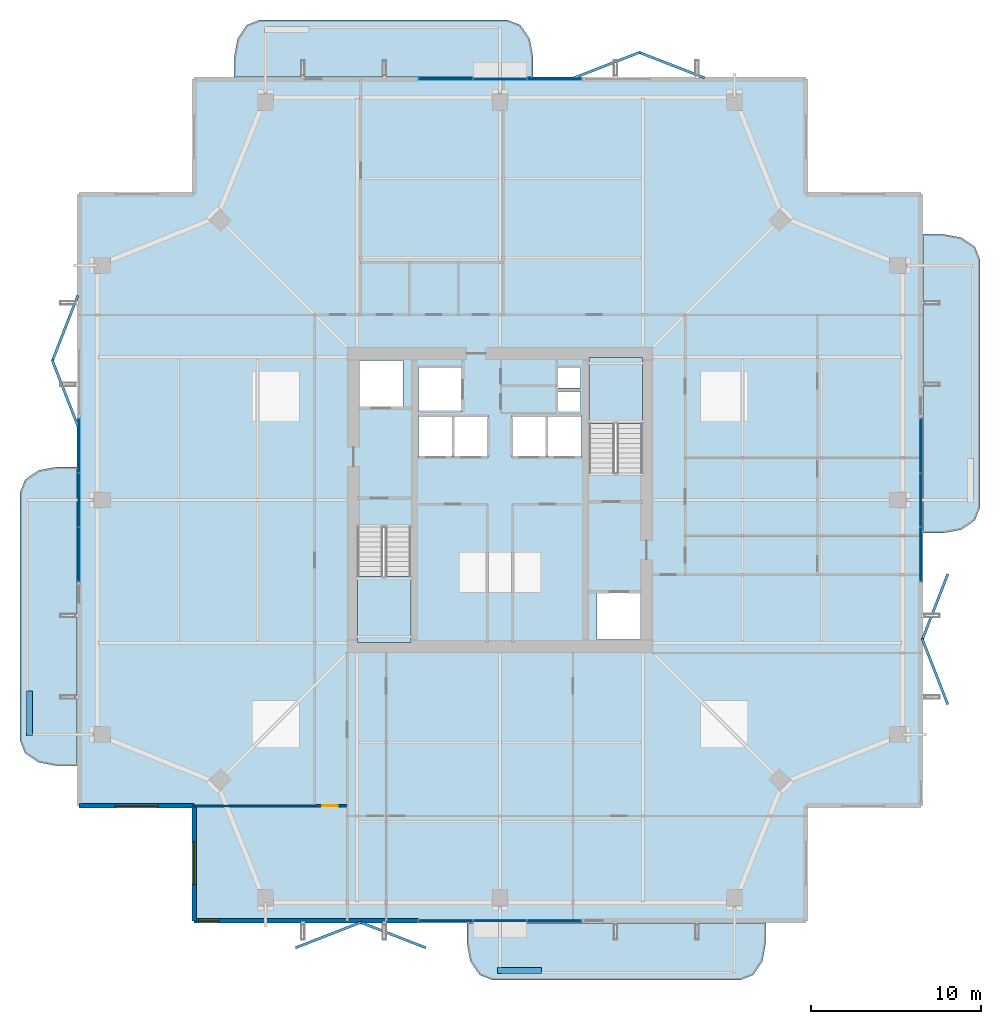
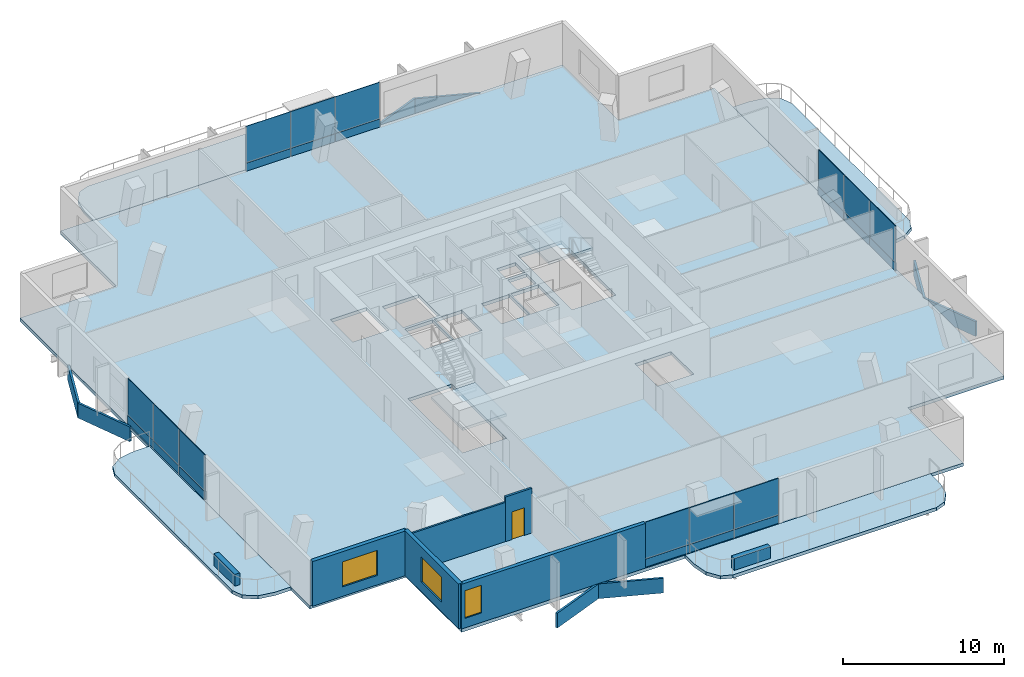
# One storey, part 17 of 25: 32 plates, 7 slabs, 7 walls, 3 windows, 1 door, 4 openings, 6 elements without a shape of their own.
"""IFC4 building model written with IfcOpenShell, lengths in metres."""

from ifc_helpers import new_model, si_unit, direction, frame, frame_2d, origin, origin_2d, place, context, subcontext, project, spatial, polyline, rectangle, outline, extrude, material, layer, layer_set, type_object, element, fill, aggregate, save


model = new_model("IFC4")

# Units and contexts
model_context = context("Model", 3, precision=1e-05, world=origin(), true_north=direction((0.0, 1.0)))
body_context = subcontext(model_context, "Body", "Model", "MODEL_VIEW")
ifc_project = project(units=[si_unit("LENGTHUNIT", "METRE"), si_unit("AREAUNIT", "SQUARE_METRE"), si_unit("VOLUMEUNIT", "CUBIC_METRE"), si_unit("PLANEANGLEUNIT", "RADIAN"), si_unit("MASSUNIT", "GRAM", prefix="KILO")], contexts=[model_context])

# Site, building, storey
site_placement = place(None, origin())
site = spatial("IfcSite", under=ifc_project, at=site_placement, CompositionType="ELEMENT")
building_placement = place(site_placement, origin())
building = spatial("IfcBuilding", under=site, at=building_placement, Name="Belovzor Exchange Tower", CompositionType="ELEMENT")
storey_placement = place(building_placement, frame((0.0, 0.0, 280.35009765625)))
storey = spatial("IfcBuildingStorey", under=building, at=storey_placement, Name="L70", CompositionType="ELEMENT", Elevation=280.35009765625)

# Slab
ifc_material_1 = material(Name="Concrete C40/50", Category="concrete")
ifc_layer_1 = layer(ifc_material_1, 0.25)
ifc_layer_set_1 = layer_set([ifc_layer_1], Name="Concrete C40/50")
slab_type_1 = type_object("IfcSlabType", Name="Composite Concrete Floor Deck Slab 250", PredefinedType="FLOOR", material=ifc_layer_set_1)
slab_1_placement = place(storey_placement, frame((0.0, 0.0, -0.25)))
element("IfcSlab", 1, at=slab_1_placement, inside=storey, type_object=slab_type_1, Name="SL-F250 Structural Slab L70", PredefinedType="FLOOR", context=body_context, shape_type="SweptSolid", body=[
    extrude(outline(polyline([(10.800048828125, 3.89990234375), (46.800048828125, 3.89990234375), (46.800048828125, 10.800048828125), (53.699951171875, 10.800048828125), (53.699951171875, 46.800048828125), (46.800048828125, 46.800048828125), (46.800048828125, 53.699951171875), (10.800048828125, 53.699951171875), (10.800048828125, 46.800048828125), (3.89990234375, 46.800048828125), (3.89990234375, 10.800048828125), (10.800048828125, 10.800048828125), (10.800048828125, 3.89990234375)]), holes=[polyline([(20.39990234375, 27.175048828125), (20.39990234375, 20.39990234375), (23.550048828125, 20.39990234375), (23.550048828125, 27.175048828125), (20.39990234375, 27.175048828125)]), polyline([(37.199951171875, 30.425048828125), (37.199951171875, 37.199951171875), (34.050048828125, 37.199951171875), (34.050048828125, 30.425048828125), (37.199951171875, 30.425048828125)]), polyline([(20.5, 34.199951171875), (23.10009765625, 34.199951171875), (23.10009765625, 37.0), (20.5, 37.0), (20.5, 34.199951171875)]), polyline([(34.5, 20.60009765625), (37.10009765625, 20.60009765625), (37.10009765625, 23.39990234375), (34.5, 23.39990234375), (34.5, 20.60009765625)]), polyline([(24.0, 34.0), (26.60009765625, 34.0), (26.60009765625, 36.60009765625), (24.0, 36.60009765625), (24.0, 34.0)]), polyline([(24.0, 31.300048828125), (26.0, 31.300048828125), (26.0, 33.800048828125), (24.0, 33.800048828125), (24.0, 31.300048828125)]), polyline([(26.10009765625, 31.300048828125), (28.10009765625, 31.300048828125), (28.10009765625, 33.800048828125), (26.10009765625, 33.800048828125), (26.10009765625, 31.300048828125)]), polyline([(29.5, 31.300048828125), (31.5, 31.300048828125), (31.5, 33.800048828125), (29.5, 33.800048828125), (29.5, 31.300048828125)]), polyline([(31.60009765625, 31.300048828125), (33.60009765625, 31.300048828125), (33.60009765625, 33.800048828125), (31.60009765625, 33.800048828125), (31.60009765625, 31.300048828125)]), polyline([(32.199951171875, 34.0), (33.550048828125, 34.0), (33.550048828125, 35.199951171875), (32.199951171875, 35.199951171875), (32.199951171875, 34.0)]), polyline([(32.199951171875, 35.39990234375), (33.550048828125, 35.39990234375), (33.550048828125, 36.60009765625), (32.199951171875, 36.60009765625), (32.199951171875, 35.39990234375)])]), origin(), (0.0, 0.0, 1.0), 0.25),
])

# Curtain wall, plates
ifc_material_2 = material(Name="Anodised Aluminium Framing", Category="aluminium")
ifc_layer_2 = layer(ifc_material_2, 0.179931640625)
ifc_layer_set_2 = layer_set([ifc_layer_2], Name="Anodised Aluminium Framing")
curtain_wall_type = type_object("IfcCurtainWallType", Name="Recessed Loggia Low-Iron Triple-Glazed Curtain Wall", PredefinedType="NOTDEFINED", material=ifc_layer_set_2)
curtain_wall_1_placement = place(storey_placement, origin())
curtain_wall_1 = element("IfcCurtainWall", 2, at=curtain_wall_1_placement, inside=storey, type_object=curtain_wall_type, Name="CW3 Recessed Loggia Low-Iron Triple-Glazed Curtain Wall L70", PredefinedType="NOTDEFINED")
ifc_material_3 = material(Name="Solar-Control Triple Glazing", Category="glass")
ifc_layer_3 = layer(ifc_material_3, 0.0439453125)
ifc_layer_set_3 = layer_set([ifc_layer_3], Name="Solar-Control Triple Glazing")
plate_type_1 = type_object("IfcPlateType", Name="Insulated Solar Glazing Curtain Panel 44", PredefinedType="CURTAIN_PANEL", material=ifc_layer_set_3)
plate_1_placement = place(storey_placement, frame((32.0, 4.030029296875, 0.61181640625), z_axis=(0.0, 0.0, 1.0), x_axis=(-1.0, 0.0, 0.0)))
plate_1 = element("IfcPlate", 3, at=plate_1_placement, type_object=plate_type_1, Name="GLZ-44 Glazed Curtain Panel 1", PredefinedType="CURTAIN_PANEL", context=body_context, shape_type="SweptSolid", body=[
    extrude(rectangle(XDim=3.18408203125, YDim=0.0439453125, at=origin_2d()), origin(), (0.0, 0.0, 1.0), 2.778076171875),
])
plate_2_placement = place(storey_placement, frame((28.800048828125, 4.030029296875, 0.61181640625), z_axis=(0.0, 0.0, 1.0), x_axis=(-1.0, 0.0, 0.0)))
plate_2 = element("IfcPlate", 4, at=plate_2_placement, type_object=plate_type_1, Name="GLZ-44 Glazed Curtain Panel 2", PredefinedType="CURTAIN_PANEL", context=body_context, shape_type="SweptSolid", body=[
    extrude(rectangle(XDim=3.18408203125, YDim=0.0439453125, at=origin_2d()), origin(), (0.0, 0.0, 1.0), 2.778076171875),
])
plate_3_placement = place(storey_placement, frame((25.60009765625, 4.030029296875, 0.61181640625), z_axis=(0.0, 0.0, 1.0), x_axis=(-1.0, 0.0, 0.0)))
plate_3 = element("IfcPlate", 5, at=plate_3_placement, type_object=plate_type_1, Name="GLZ-44 Glazed Curtain Panel 3", PredefinedType="CURTAIN_PANEL", context=body_context, shape_type="SweptSolid", body=[
    extrude(rectangle(XDim=3.18408203125, YDim=0.0439453125, at=origin_2d()), origin(), (0.0, 0.0, 1.0), 2.778076171875),
])

curtain_wall_2_placement = place(storey_placement, origin())
curtain_wall_2 = element("IfcCurtainWall", 6, at=curtain_wall_2_placement, inside=storey, type_object=curtain_wall_type, Name="CW3 Recessed Loggia Low-Iron Triple-Glazed Curtain Wall L70", PredefinedType="NOTDEFINED")
plate_4_placement = place(storey_placement, frame((25.60009765625, 53.570068359375, 0.61181640625), z_axis=(0.0, 0.0, 1.0), x_axis=(1.0, 0.0, 0.0)))
plate_4 = element("IfcPlate", 7, at=plate_4_placement, type_object=plate_type_1, Name="GLZ-44 Glazed Curtain Panel 1", PredefinedType="CURTAIN_PANEL", context=body_context, shape_type="SweptSolid", body=[
    extrude(rectangle(XDim=3.18408203125, YDim=0.0439453125, at=origin_2d()), origin(), (0.0, 0.0, 1.0), 2.778076171875),
])
plate_5_placement = place(storey_placement, frame((28.800048828125, 53.570068359375, 0.61181640625), z_axis=(0.0, 0.0, 1.0), x_axis=(1.0, 0.0, 0.0)))
plate_5 = element("IfcPlate", 8, at=plate_5_placement, type_object=plate_type_1, Name="GLZ-44 Glazed Curtain Panel 2", PredefinedType="CURTAIN_PANEL", context=body_context, shape_type="SweptSolid", body=[
    extrude(rectangle(XDim=3.18408203125, YDim=0.0439453125, at=origin_2d()), origin(), (0.0, 0.0, 1.0), 2.778076171875),
])
plate_6_placement = place(storey_placement, frame((32.0, 53.570068359375, 0.61181640625), z_axis=(0.0, 0.0, 1.0), x_axis=(1.0, 0.0, 0.0)))
plate_6 = element("IfcPlate", 9, at=plate_6_placement, type_object=plate_type_1, Name="GLZ-44 Glazed Curtain Panel 3", PredefinedType="CURTAIN_PANEL", context=body_context, shape_type="SweptSolid", body=[
    extrude(rectangle(XDim=3.18408203125, YDim=0.0439453125, at=origin_2d()), origin(), (0.0, 0.0, 1.0), 2.778076171875),
])

curtain_wall_3_placement = place(storey_placement, origin())
curtain_wall_3 = element("IfcCurtainWall", 10, at=curtain_wall_3_placement, inside=storey, type_object=curtain_wall_type, Name="CW3 Recessed Loggia Low-Iron Triple-Glazed Curtain Wall L70", PredefinedType="NOTDEFINED")
plate_7_placement = place(storey_placement, frame((4.030029296875, 25.60009765625, 0.61181640625), z_axis=(0.0, 0.0, 1.0), x_axis=(0.0, 1.0, 0.0)))
plate_7 = element("IfcPlate", 11, at=plate_7_placement, type_object=plate_type_1, Name="GLZ-44 Glazed Curtain Panel 1", PredefinedType="CURTAIN_PANEL", context=body_context, shape_type="SweptSolid", body=[
    extrude(rectangle(XDim=3.18408203125, YDim=0.0439453125, at=origin_2d()), origin(), (0.0, 0.0, 1.0), 2.778076171875),
])
plate_8_placement = place(storey_placement, frame((4.030029296875, 28.800048828125, 0.61181640625), z_axis=(0.0, 0.0, 1.0), x_axis=(0.0, 1.0, 0.0)))
plate_8 = element("IfcPlate", 12, at=plate_8_placement, type_object=plate_type_1, Name="GLZ-44 Glazed Curtain Panel 2", PredefinedType="CURTAIN_PANEL", context=body_context, shape_type="SweptSolid", body=[
    extrude(rectangle(XDim=3.18408203125, YDim=0.0439453125, at=origin_2d()), origin(), (0.0, 0.0, 1.0), 2.778076171875),
])
plate_9_placement = place(storey_placement, frame((4.030029296875, 32.0, 0.61181640625), z_axis=(0.0, 0.0, 1.0), x_axis=(0.0, 1.0, 0.0)))
plate_9 = element("IfcPlate", 13, at=plate_9_placement, type_object=plate_type_1, Name="GLZ-44 Glazed Curtain Panel 3", PredefinedType="CURTAIN_PANEL", context=body_context, shape_type="SweptSolid", body=[
    extrude(rectangle(XDim=3.18408203125, YDim=0.0439453125, at=origin_2d()), origin(), (0.0, 0.0, 1.0), 2.778076171875),
])

curtain_wall_4_placement = place(storey_placement, origin())
curtain_wall_4 = element("IfcCurtainWall", 14, at=curtain_wall_4_placement, inside=storey, type_object=curtain_wall_type, Name="CW3 Recessed Loggia Low-Iron Triple-Glazed Curtain Wall L70", PredefinedType="NOTDEFINED")
plate_10_placement = place(storey_placement, frame((53.570068359375, 32.0, 0.61181640625), z_axis=(0.0, 0.0, 1.0), x_axis=(0.0, -1.0, 0.0)))
plate_10 = element("IfcPlate", 15, at=plate_10_placement, type_object=plate_type_1, Name="GLZ-44 Glazed Curtain Panel 1", PredefinedType="CURTAIN_PANEL", context=body_context, shape_type="SweptSolid", body=[
    extrude(rectangle(XDim=3.18408203125, YDim=0.0439453125, at=origin_2d()), origin(), (0.0, 0.0, 1.0), 2.778076171875),
])
plate_11_placement = place(storey_placement, frame((53.570068359375, 28.800048828125, 0.61181640625), z_axis=(0.0, 0.0, 1.0), x_axis=(0.0, -1.0, 0.0)))
plate_11 = element("IfcPlate", 16, at=plate_11_placement, type_object=plate_type_1, Name="GLZ-44 Glazed Curtain Panel 2", PredefinedType="CURTAIN_PANEL", context=body_context, shape_type="SweptSolid", body=[
    extrude(rectangle(XDim=3.18408203125, YDim=0.0439453125, at=origin_2d()), origin(), (0.0, 0.0, 1.0), 2.778076171875),
])
plate_12_placement = place(storey_placement, frame((53.570068359375, 25.60009765625, 0.61181640625), z_axis=(0.0, 0.0, 1.0), x_axis=(0.0, -1.0, 0.0)))
plate_12 = element("IfcPlate", 17, at=plate_12_placement, type_object=plate_type_1, Name="GLZ-44 Glazed Curtain Panel 3", PredefinedType="CURTAIN_PANEL", context=body_context, shape_type="SweptSolid", body=[
    extrude(rectangle(XDim=3.18408203125, YDim=0.0439453125, at=origin_2d()), origin(), (0.0, 0.0, 1.0), 2.778076171875),
])

# Stair, slab
ifc_material_4 = material(Name="Concrete C40/50", Category="concrete")
stair_type = type_object("IfcStairType", Name="Reinforced Concrete Dogleg Escape Stair 1350", PredefinedType="HALF_TURN_STAIR", material=ifc_material_4)
stair_1_placement = place(storey_placement, origin())
stair_1 = element("IfcStair", 18, at=stair_1_placement, inside=storey, type_object=stair_type, Name="L70 ST-1", PredefinedType="HALF_TURN_STAIR")
ifc_material_5 = material(Name="Concrete C40/50", Category="concrete")
ifc_layer_4 = layer(ifc_material_5, 0.199951171875)
ifc_layer_set_4 = layer_set([ifc_layer_4], Name="Concrete C40/50")
slab_type_2 = type_object("IfcSlabType", Name="Reinforced Concrete Stair Half-Landing Slab 200", PredefinedType="LANDING", material=ifc_layer_set_4)
slab_2_placement = place(storey_placement, frame((0.0, 0.0, 1.6748046875)))
slab_2 = element("IfcSlab", 19, at=slab_2_placement, type_object=slab_type_2, Name="ST-1 landing 1", PredefinedType="LANDING", context=body_context, shape_type="SweptSolid", body=[
    extrude(outline(polyline([(20.39990234375, 24.300048828125), (20.39990234375, 20.39990234375), (23.550048828125, 20.39990234375), (23.550048828125, 24.300048828125), (20.39990234375, 24.300048828125)])), origin(), (0.0, 0.0, 1.0), 0.2001953125),
])
aggregate(stair_1, [slab_2])

stair_2_placement = place(storey_placement, origin())
stair_2 = element("IfcStair", 20, at=stair_2_placement, inside=storey, type_object=stair_type, Name="L70 ST-2", PredefinedType="HALF_TURN_STAIR")
slab_3_placement = place(storey_placement, frame((0.0, 0.0, 1.6748046875)))
slab_3 = element("IfcSlab", 21, at=slab_3_placement, type_object=slab_type_2, Name="ST-2 landing 1", PredefinedType="LANDING", context=body_context, shape_type="SweptSolid", body=[
    extrude(outline(polyline([(37.199951171875, 33.300048828125), (37.199951171875, 37.199951171875), (34.050048828125, 37.199951171875), (34.050048828125, 33.300048828125), (37.199951171875, 33.300048828125)])), origin(), (0.0, 0.0, 1.0), 0.2001953125),
])
aggregate(stair_2, [slab_3])

# Plate
ifc_material_6 = material(Name="Extruded Architectural Terracotta", Category="masonry")
ifc_layer_5 = layer(ifc_material_6, 0.090087890625)
ifc_layer_set_5 = layer_set([ifc_layer_5], Name="Extruded Architectural Terracotta")
plate_type_2 = type_object("IfcPlateType", Name="Terracotta Shadow-Box Spandrel Panel 90", PredefinedType="CURTAIN_PANEL", material=ifc_layer_set_5)
plate_13_placement = place(storey_placement, frame((32.0, 4.030029296875, 0.0), z_axis=(0.0, 0.0, 1.0), x_axis=(-1.0, 0.0, 0.0)))
plate_13 = element("IfcPlate", 22, at=plate_13_placement, type_object=plate_type_2, Name="SPD-90 Spandrel Panel 1", PredefinedType="CURTAIN_PANEL", context=body_context, shape_type="SweptSolid", body=[
    extrude(rectangle(XDim=3.18408203125, YDim=0.090087890625, at=origin_2d()), origin(), (0.0, 0.0, 1.0), 0.60791015625),
])

plate_14_placement = place(storey_placement, frame((28.800048828125, 4.030029296875, 0.0), z_axis=(0.0, 0.0, 1.0), x_axis=(-1.0, 0.0, 0.0)))
plate_14 = element("IfcPlate", 23, at=plate_14_placement, type_object=plate_type_2, Name="SPD-90 Spandrel Panel 2", PredefinedType="CURTAIN_PANEL", context=body_context, shape_type="SweptSolid", body=[
    extrude(rectangle(XDim=3.18408203125, YDim=0.090087890625, at=origin_2d()), origin(), (0.0, 0.0, 1.0), 0.60791015625),
])

plate_15_placement = place(storey_placement, frame((25.60009765625, 4.030029296875, 0.0), z_axis=(0.0, 0.0, 1.0), x_axis=(-1.0, 0.0, 0.0)))
plate_15 = element("IfcPlate", 24, at=plate_15_placement, type_object=plate_type_2, Name="SPD-90 Spandrel Panel 3", PredefinedType="CURTAIN_PANEL", context=body_context, shape_type="SweptSolid", body=[
    extrude(rectangle(XDim=3.18408203125, YDim=0.090087890625, at=origin_2d()), origin(), (0.0, 0.0, 1.0), 0.60791015625),
])

aggregate(curtain_wall_1, [plate_13, plate_1, plate_14, plate_2, plate_15, plate_3])

plate_16_placement = place(storey_placement, frame((25.60009765625, 53.570068359375, 0.0), z_axis=(0.0, 0.0, 1.0), x_axis=(1.0, 0.0, 0.0)))
plate_16 = element("IfcPlate", 25, at=plate_16_placement, type_object=plate_type_2, Name="SPD-90 Spandrel Panel 1", PredefinedType="CURTAIN_PANEL", context=body_context, shape_type="SweptSolid", body=[
    extrude(rectangle(XDim=3.18408203125, YDim=0.090087890625, at=origin_2d()), origin(), (0.0, 0.0, 1.0), 0.60791015625),
])

plate_17_placement = place(storey_placement, frame((28.800048828125, 53.570068359375, 0.0), z_axis=(0.0, 0.0, 1.0), x_axis=(1.0, 0.0, 0.0)))
plate_17 = element("IfcPlate", 26, at=plate_17_placement, type_object=plate_type_2, Name="SPD-90 Spandrel Panel 2", PredefinedType="CURTAIN_PANEL", context=body_context, shape_type="SweptSolid", body=[
    extrude(rectangle(XDim=3.18408203125, YDim=0.090087890625, at=origin_2d()), origin(), (0.0, 0.0, 1.0), 0.60791015625),
])

plate_18_placement = place(storey_placement, frame((32.0, 53.570068359375, 0.0), z_axis=(0.0, 0.0, 1.0), x_axis=(1.0, 0.0, 0.0)))
plate_18 = element("IfcPlate", 27, at=plate_18_placement, type_object=plate_type_2, Name="SPD-90 Spandrel Panel 3", PredefinedType="CURTAIN_PANEL", context=body_context, shape_type="SweptSolid", body=[
    extrude(rectangle(XDim=3.18408203125, YDim=0.090087890625, at=origin_2d()), origin(), (0.0, 0.0, 1.0), 0.60791015625),
])

aggregate(curtain_wall_2, [plate_16, plate_4, plate_17, plate_5, plate_18, plate_6])

plate_19_placement = place(storey_placement, frame((4.030029296875, 25.60009765625, 0.0), z_axis=(0.0, 0.0, 1.0), x_axis=(0.0, 1.0, 0.0)))
plate_19 = element("IfcPlate", 28, at=plate_19_placement, type_object=plate_type_2, Name="SPD-90 Spandrel Panel 1", PredefinedType="CURTAIN_PANEL", context=body_context, shape_type="SweptSolid", body=[
    extrude(rectangle(XDim=3.18408203125, YDim=0.090087890625, at=origin_2d()), origin(), (0.0, 0.0, 1.0), 0.60791015625),
])

plate_20_placement = place(storey_placement, frame((4.030029296875, 28.800048828125, 0.0), z_axis=(0.0, 0.0, 1.0), x_axis=(0.0, 1.0, 0.0)))
plate_20 = element("IfcPlate", 29, at=plate_20_placement, type_object=plate_type_2, Name="SPD-90 Spandrel Panel 2", PredefinedType="CURTAIN_PANEL", context=body_context, shape_type="SweptSolid", body=[
    extrude(rectangle(XDim=3.18408203125, YDim=0.090087890625, at=origin_2d()), origin(), (0.0, 0.0, 1.0), 0.60791015625),
])

plate_21_placement = place(storey_placement, frame((4.030029296875, 32.0, 0.0), z_axis=(0.0, 0.0, 1.0), x_axis=(0.0, 1.0, 0.0)))
plate_21 = element("IfcPlate", 30, at=plate_21_placement, type_object=plate_type_2, Name="SPD-90 Spandrel Panel 3", PredefinedType="CURTAIN_PANEL", context=body_context, shape_type="SweptSolid", body=[
    extrude(rectangle(XDim=3.18408203125, YDim=0.090087890625, at=origin_2d()), origin(), (0.0, 0.0, 1.0), 0.60791015625),
])

aggregate(curtain_wall_3, [plate_19, plate_7, plate_20, plate_8, plate_21, plate_9])

plate_22_placement = place(storey_placement, frame((53.570068359375, 32.0, 0.0), z_axis=(0.0, 0.0, 1.0), x_axis=(0.0, -1.0, 0.0)))
plate_22 = element("IfcPlate", 31, at=plate_22_placement, type_object=plate_type_2, Name="SPD-90 Spandrel Panel 1", PredefinedType="CURTAIN_PANEL", context=body_context, shape_type="SweptSolid", body=[
    extrude(rectangle(XDim=3.18408203125, YDim=0.090087890625, at=origin_2d()), origin(), (0.0, 0.0, 1.0), 0.60791015625),
])

plate_23_placement = place(storey_placement, frame((53.570068359375, 28.800048828125, 0.0), z_axis=(0.0, 0.0, 1.0), x_axis=(0.0, -1.0, 0.0)))
plate_23 = element("IfcPlate", 32, at=plate_23_placement, type_object=plate_type_2, Name="SPD-90 Spandrel Panel 2", PredefinedType="CURTAIN_PANEL", context=body_context, shape_type="SweptSolid", body=[
    extrude(rectangle(XDim=3.18408203125, YDim=0.090087890625, at=origin_2d()), origin(), (0.0, 0.0, 1.0), 0.60791015625),
])

plate_24_placement = place(storey_placement, frame((53.570068359375, 25.60009765625, 0.0), z_axis=(0.0, 0.0, 1.0), x_axis=(0.0, -1.0, 0.0)))
plate_24 = element("IfcPlate", 33, at=plate_24_placement, type_object=plate_type_2, Name="SPD-90 Spandrel Panel 3", PredefinedType="CURTAIN_PANEL", context=body_context, shape_type="SweptSolid", body=[
    extrude(rectangle(XDim=3.18408203125, YDim=0.090087890625, at=origin_2d()), origin(), (0.0, 0.0, 1.0), 0.60791015625),
])

aggregate(curtain_wall_4, [plate_22, plate_10, plate_23, plate_11, plate_24, plate_12])

# Slabs
ifc_material_7 = material(Name="Concrete C40/50", Category="concrete")
ifc_layer_6 = layer(ifc_material_7, 0.25)
ifc_layer_set_6 = layer_set([ifc_layer_6], Name="Concrete C40/50")
slab_type_3 = type_object("IfcSlabType", Name="Thermally Broken Planted Balcony Slab 250", PredefinedType="FLOOR", material=ifc_layer_set_6)
slab_4_placement = place(storey_placement, frame((0.0, 0.0, -0.25)))
element("IfcSlab", 34, at=slab_4_placement, inside=storey, type_object=slab_type_3, Name="SL-BAL220 Planted Balcony Loggia L70 South", PredefinedType="FLOOR", context=body_context, shape_type="SweptSolid", body=[
    extrude(outline(polyline([(26.85009765625, 3.9150390625), (26.85009765625, 2.75), (27.051025390625, 1.64990234375), (27.60009765625, 0.844970703125), (28.35009765625, 0.550048828125), (42.949951171875, 0.550048828125), (43.699951171875, 0.844970703125), (44.2490234375, 1.64990234375), (44.449951171875, 2.75), (44.449951171875, 3.9150390625), (26.85009765625, 3.9150390625)])), origin(), (0.0, 0.0, 1.0), 0.25),
])
slab_5_placement = place(storey_placement, frame((0.0, 0.0, -0.25)))
element("IfcSlab", 35, at=slab_5_placement, inside=storey, type_object=slab_type_3, Name="SL-BAL220 Planted Balcony Loggia L70 North", PredefinedType="FLOOR", context=body_context, shape_type="SweptSolid", body=[
    extrude(outline(polyline([(30.75, 53.68505859375), (30.75, 54.85009765625), (30.549072265625, 55.949951171875), (30.0, 56.7548828125), (29.25, 57.050048828125), (14.64990234375, 57.050048828125), (13.89990234375, 56.7548828125), (13.35107421875, 55.949951171875), (13.14990234375, 54.85009765625), (13.14990234375, 53.68505859375), (30.75, 53.68505859375)])), origin(), (0.0, 0.0, 1.0), 0.25),
])
slab_6_placement = place(storey_placement, frame((0.0, 0.0, -0.25)))
element("IfcSlab", 36, at=slab_6_placement, inside=storey, type_object=slab_type_3, Name="SL-BAL220 Planted Balcony Loggia L70 East", PredefinedType="FLOOR", context=body_context, shape_type="SweptSolid", body=[
    extrude(outline(polyline([(53.68505859375, 26.85009765625), (54.85009765625, 26.85009765625), (55.949951171875, 27.051025390625), (56.7548828125, 27.60009765625), (57.050048828125, 28.35009765625), (57.050048828125, 42.949951171875), (56.7548828125, 43.699951171875), (55.949951171875, 44.2490234375), (54.85009765625, 44.449951171875), (53.68505859375, 44.449951171875), (53.68505859375, 26.85009765625)])), origin(), (0.0, 0.0, 1.0), 0.25),
])
slab_7_placement = place(storey_placement, frame((0.0, 0.0, -0.25)))
element("IfcSlab", 37, at=slab_7_placement, inside=storey, type_object=slab_type_3, Name="SL-BAL220 Planted Balcony Loggia L70 West", PredefinedType="FLOOR", context=body_context, shape_type="SweptSolid", body=[
    extrude(outline(polyline([(3.9150390625, 30.75), (2.75, 30.75), (1.64990234375, 30.549072265625), (0.844970703125, 30.0), (0.550048828125, 29.25), (0.550048828125, 14.64990234375), (0.844970703125, 13.89990234375), (1.64990234375, 13.35107421875), (2.75, 13.14990234375), (3.9150390625, 13.14990234375), (3.9150390625, 30.75)])), origin(), (0.0, 0.0, 1.0), 0.25),
])

# Plates
ifc_material_8 = material(Name="Extruded Architectural Terracotta", Category="masonry")
ifc_layer_7 = layer(ifc_material_8, 0.14990234375)
ifc_layer_set_7 = layer_set([ifc_layer_7], Name="Extruded Architectural Terracotta")
plate_type_3 = type_object("IfcPlateType", Name="Upper-Crown Deep Folded Zigzag Terracotta Spandrel Louvre 150", PredefinedType="USERDEFINED", material=ifc_layer_set_7)
for number, where, z_axis, x_axis, name in (
    (38, (18.699951171875, 3.199951171875, -1.105224609375), (0.0, 0.0, 1.0), (0.931817969421, 0.362925986758, 0.0), "LVR-ZZ3 Zigzag Terracotta Spandrel Louvre L70 S1A"),
    (39, (22.5, 3.199951171875, -1.105224609375), (0.0, 0.0, 1.0), (0.931817969421, -0.362925986758, 0.0), "LVR-ZZ3 Zigzag Terracotta Spandrel Louvre L70 S1B"),
    (40, (54.39990234375, 18.699951171875, -1.105224609375), (0.0, 0.0, 1.0), (-0.362925986758, 0.931817969421, 0.0), "LVR-ZZ3 Zigzag Terracotta Spandrel Louvre L70 E1A"),
    (41, (54.39990234375, 22.5, -1.105224609375), (0.0, 0.0, 1.0), (0.362925986758, 0.931817969421, 0.0), "LVR-ZZ3 Zigzag Terracotta Spandrel Louvre L70 E1B"),
    (42, (35.10009765625, 54.39990234375, -1.105224609375), (0.0, 0.0, 1.0), (0.931817969421, 0.362925986758, 0.0), "LVR-ZZ3 Zigzag Terracotta Spandrel Louvre L70 N2A"),
    (43, (38.89990234375, 54.39990234375, -1.105224609375), (0.0, 0.0, 1.0), (0.931817969421, -0.362925986758, 0.0), "LVR-ZZ3 Zigzag Terracotta Spandrel Louvre L70 N2B"),
    (44, (3.199951171875, 35.10009765625, -1.105224609375), (0.0, 0.0, 1.0), (-0.362925986758, 0.931817969421, 0.0), "LVR-ZZ3 Zigzag Terracotta Spandrel Louvre L70 W2A"),
    (45, (3.199951171875, 38.89990234375, -1.105224609375), (0.0, 0.0, 1.0), (0.362925986758, 0.931817969421, 0.0), "LVR-ZZ3 Zigzag Terracotta Spandrel Louvre L70 W2B"),
):
    element("IfcPlate", number, at=place(storey_placement, frame(where, z_axis=z_axis, x_axis=x_axis)), inside=storey, type_object=plate_type_3, Name=name, ObjectType="SPANDREL_LOUVRE", PredefinedType="USERDEFINED", context=body_context, shape_type="SweptSolid", body=[
        extrude(rectangle(XDim=4.157958984375, YDim=0.14990234375, at=origin_2d()), origin(), (0.0, 0.0, 1.0), 1.1201171875),
    ])

# Wall
ifc_material_9 = material(Name="Acoustic Plasterboard on Galvanised Studs", Category="gypsum")
ifc_layer_8 = layer(ifc_material_9, 0.1201171875)
ifc_layer_set_8 = layer_set([ifc_layer_8], Name="Acoustic Plasterboard on Galvanised Studs")
wall_type_1 = type_object("IfcWallType", Name="Acoustic Double-Stud Partition Wall 120", PredefinedType="PARTITIONING", material=ifc_layer_set_8)
wall_1_placement = place(storey_placement, frame((10.800048828125, 10.800048828125, 0.0), z_axis=(0.0, 0.0, 1.0), x_axis=(1.0, 0.0, 0.0)))
element("IfcWall", 46, at=wall_1_placement, inside=storey, type_object=wall_type_1, Name="W-P120 Partition Wall W-L70-SWS", PredefinedType="PARTITIONING", context=body_context, shape_type="SweptSolid", body=[
    extrude(rectangle(XDim=7.099853515625, YDim=0.1201171875, at=frame_2d((3.5498046875, 0.0))), origin(), (0.0, 0.0, 1.0), 2.974853515625),
])

# Wall, opening, door
ifc_material_10 = material(Name="Fire-Rated Gypsum Block and Mineral Wool", Category="gypsum")
ifc_layer_9 = layer(ifc_material_10, 0.14990234375)
ifc_layer_set_9 = layer_set([ifc_layer_9], Name="Fire-Rated Gypsum Block and Mineral Wool")
wall_type_2 = type_object("IfcWallType", Name="Fire-Rated Gypsum Block Corridor Wall 150", PredefinedType="PARTITIONING", material=ifc_layer_set_9)
wall_2_placement = place(storey_placement, frame((17.89990234375, 10.800048828125, 0.0), z_axis=(0.0, 0.0, 1.0), x_axis=(1.0, 0.0, 0.0)))
wall_2 = element("IfcWall", 47, at=wall_2_placement, inside=storey, type_object=wall_type_2, Name="W-P150 Partition Wall W-L70-CW-END", PredefinedType="PARTITIONING", context=body_context, shape_type="SweptSolid", body=[
    extrude(rectangle(XDim=1.900146484375, YDim=0.14990234375, at=frame_2d((0.9501953125, 0.0))), origin(), (0.0, 0.0, 1.0), 3.389892578125),
])
opening_1_placement = place(wall_2_placement, frame((0.449951171875, 0.0, 0.0)))
opening_1 = element("IfcOpeningElement", 48, at=opening_1_placement, cuts=wall_2, Name="Opening D-FD60-090", PredefinedType="OPENING", context=body_context, shape_type="SweptSolid", body=[
    extrude(rectangle(XDim=0.89990234375, YDim=2.10009765625, at=frame_2d((0.449951171875, 1.050048828125))), frame((0.0, 0.0849609375, 0.0), z_axis=(0.0, -1.0, 0.0), x_axis=(1.0, 0.0, 0.0)), (0.0, 0.0, 1.0), 0.169921875),
])
ifc_material_11 = material(Name="Acoustic Timber Fire Leaf", Category="wood")
door_type = type_object("IfcDoorType", Name="Core Service & Restroom Fire Door 900x2100", OperationType="NOTDEFINED", PredefinedType="DOOR", material=ifc_material_11)
door_placement = place(opening_1_placement, origin())
door = element("IfcDoor", 49, at=door_placement, inside=storey, type_object=door_type, Name="D-FD60-090 Core Service & Restroom Fire Door 900x2100", OperationType="SINGLE_SWING_LEFT", OverallHeight=2.10009765625, OverallWidth=0.89990234375, PredefinedType="DOOR", context=body_context, shape_type="SweptSolid", body=[
    extrude(rectangle(XDim=0.89990234375, YDim=2.10009765625, at=frame_2d((0.449951171875, 1.050048828125))), frame((0.0, 0.02490234375, 0.0), z_axis=(0.0, -1.0, 0.0), x_axis=(1.0, 0.0, 0.0)), (0.0, 0.0, 1.0), 0.050048828125),
])
fill(opening_1, door)

# Wall, opening, window
ifc_material_12 = material(Name="Precast concrete C40/50", Category="concrete")
ifc_layer_10 = layer(ifc_material_12, 0.280029296875)
ifc_layer_set_10 = layer_set([ifc_layer_10], Name="Precast concrete C40/50")
wall_type_3 = type_object("IfcWallType", Name="Precast Concrete Notched Corner Frame Wall 280", PredefinedType="SOLIDWALL", material=ifc_layer_set_10)
wall_3_placement = place(storey_placement, frame((10.800048828125, 4.030029296875, 0.0), z_axis=(0.0, 0.0, 1.0), x_axis=(0.0, 1.0, 0.0)))
wall_3 = element("IfcWall", 50, at=wall_3_placement, inside=storey, type_object=wall_type_3, Name="W-CRN280 Precast Concrete Notched Corner Frame Wall 280 L70", PredefinedType="SOLIDWALL", context=body_context, shape_type="SweptSolid", body=[
    extrude(rectangle(XDim=6.77001953125, YDim=0.280029296875, at=frame_2d((3.385009765625, 0.0))), origin(), (0.0, 0.0, 1.0), 3.389892578125),
])
opening_2_placement = place(wall_3_placement, frame((2.135009765625, 0.0, 0.719970703125)))
opening_2 = element("IfcOpeningElement", 51, at=opening_2_placement, cuts=wall_3, Name="Opening WN-CRN250", PredefinedType="OPENING", context=body_context, shape_type="SweptSolid", body=[
    extrude(rectangle(XDim=2.5, YDim=1.89990234375, at=frame_2d((1.25, 0.949951171875))), frame((0.0, 0.14990234375, 0.0), z_axis=(0.0, -1.0, 0.0), x_axis=(1.0, 0.0, 0.0)), (0.0, 0.0, 1.0), 0.300048828125),
])
ifc_material_13 = material(Name="Thermally Broken Aluminium and Triple Glazing", Category="aluminium")
window_type_1 = type_object("IfcWindowType", Name="Streamline Moderne Corner Wrap Ribbon Window 2500x1900", PartitioningType="SINGLE_PANEL", PredefinedType="WINDOW", material=ifc_material_13)
window_1_placement = place(opening_2_placement, origin())
window_1 = element("IfcWindow", 52, at=window_1_placement, inside=storey, type_object=window_type_1, Name="WN-CRN250 Streamline Moderne Corner Wrap Ribbon Window 2500x1900", OverallHeight=1.89990234375, OverallWidth=2.5, PartitioningType="SINGLE_PANEL", PredefinedType="WINDOW", context=body_context, shape_type="SweptSolid", body=[
    extrude(rectangle(XDim=2.5, YDim=1.89990234375, at=frame_2d((1.25, 0.949951171875))), frame((0.0, 0.030029296875, 0.0), z_axis=(0.0, -1.0, 0.0), x_axis=(1.0, 0.0, 0.0)), (0.0, 0.0, 1.0), 0.06005859375),
])
fill(opening_2, window_1)

wall_4_placement = place(storey_placement, frame((10.800048828125, 10.800048828125, 0.0), z_axis=(0.0, 0.0, 1.0), x_axis=(-1.0, 0.0, 0.0)))
wall_4 = element("IfcWall", 53, at=wall_4_placement, inside=storey, type_object=wall_type_3, Name="W-CRN280 Precast Concrete Notched Corner Frame Wall 280 L70", PredefinedType="SOLIDWALL", context=body_context, shape_type="SweptSolid", body=[
    extrude(rectangle(XDim=6.77001953125, YDim=0.280029296875, at=frame_2d((3.385009765625, 0.0))), origin(), (0.0, 0.0, 1.0), 3.389892578125),
])
opening_3_placement = place(wall_4_placement, frame((2.135009765625, 0.0, 0.719970703125)))
opening_3 = element("IfcOpeningElement", 54, at=opening_3_placement, cuts=wall_4, Name="Opening WN-CRN250", PredefinedType="OPENING", context=body_context, shape_type="SweptSolid", body=[
    extrude(rectangle(XDim=2.5, YDim=1.89990234375, at=frame_2d((1.25, 0.949951171875))), frame((0.0, 0.14990234375, 0.0), z_axis=(0.0, -1.0, 0.0), x_axis=(1.0, 0.0, 0.0)), (0.0, 0.0, 1.0), 0.300048828125),
])
window_2_placement = place(opening_3_placement, origin())
window_2 = element("IfcWindow", 55, at=window_2_placement, inside=storey, type_object=window_type_1, Name="WN-CRN250 Streamline Moderne Corner Wrap Ribbon Window 2500x1900", OverallHeight=1.89990234375, OverallWidth=2.5, PartitioningType="SINGLE_PANEL", PredefinedType="WINDOW", context=body_context, shape_type="SweptSolid", body=[
    extrude(rectangle(XDim=2.5, YDim=1.89990234375, at=frame_2d((1.25, 0.949951171875))), frame((0.0, 0.030029296875, 0.0), z_axis=(0.0, -1.0, 0.0), x_axis=(1.0, 0.0, 0.0)), (0.0, 0.0, 1.0), 0.06005859375),
])
fill(opening_3, window_2)

ifc_material_14 = material(Name="Precast concrete C40/50", Category="concrete")
ifc_layer_11 = layer(ifc_material_14, 0.260009765625)
ifc_layer_set_11 = layer_set([ifc_layer_11], Name="Precast concrete C40/50")
wall_type_4 = type_object("IfcWallType", Name="Precast Concrete Perimeter Loggia Frame Wall 260", PredefinedType="SOLIDWALL", material=ifc_layer_set_11)
wall_5_placement = place(storey_placement, frame((24.0, 4.030029296875, 0.0), z_axis=(0.0, 0.0, 1.0), x_axis=(-1.0, 0.0, 0.0)))
wall_5 = element("IfcWall", 56, at=wall_5_placement, inside=storey, type_object=wall_type_4, Name="W-EXT260 Precast Concrete Perimeter Loggia Frame Wall 260 L70", PredefinedType="SOLIDWALL", context=body_context, shape_type="SweptSolid", body=[
    extrude(rectangle(XDim=13.199951171875, YDim=0.260009765625, at=frame_2d((6.60009765625, 0.0))), origin(), (0.0, 0.0, 1.0), 3.389892578125),
])
opening_4_placement = place(wall_5_placement, frame((11.75, 0.0, 0.719970703125)))
opening_4 = element("IfcOpeningElement", 57, at=opening_4_placement, cuts=wall_5, Name="Opening WN-CRN120", PredefinedType="OPENING", context=body_context, shape_type="SweptSolid", body=[
    extrude(rectangle(XDim=1.199951171875, YDim=2.10009765625, at=frame_2d((0.60009765625, 1.050048828125))), frame((0.0, 0.139892578125, 0.0), z_axis=(0.0, -1.0, 0.0), x_axis=(1.0, 0.0, 0.0)), (0.0, 0.0, 1.0), 0.280029296875),
])
ifc_material_15 = material(Name="Thermally Broken Aluminium and Triple Glazing", Category="aluminium")
window_type_2 = type_object("IfcWindowType", Name="Streamline Notched Corner Window 1200x2100", PartitioningType="SINGLE_PANEL", PredefinedType="WINDOW", material=ifc_material_15)
window_3_placement = place(opening_4_placement, origin())
window_3 = element("IfcWindow", 58, at=window_3_placement, inside=storey, type_object=window_type_2, Name="WN-CRN120 Streamline Notched Corner Window 1200x2100", OverallHeight=2.10009765625, OverallWidth=1.199951171875, PartitioningType="SINGLE_PANEL", PredefinedType="WINDOW", context=body_context, shape_type="SweptSolid", body=[
    extrude(rectangle(XDim=1.199951171875, YDim=2.10009765625, at=frame_2d((0.60009765625, 1.050048828125))), frame((0.0, 0.030029296875, 0.0), z_axis=(0.0, -1.0, 0.0), x_axis=(1.0, 0.0, 0.0)), (0.0, 0.0, 1.0), 0.06005859375),
])
fill(opening_4, window_3)

# Walls
ifc_material_16 = material(Name="Precast concrete C40/50", Category="concrete")
ifc_layer_12 = layer(ifc_material_16, 0.35009765625)
ifc_layer_set_12 = layer_set([ifc_layer_12], Name="Precast concrete C40/50")
wall_type_5 = type_object("IfcWallType", Name="Precast Concrete Structural Tree Planter Trough 350", PredefinedType="PARAPET", material=ifc_layer_set_12)
for number, where, z_axis, x_axis, name in (
    (59, (28.64990234375, 1.10009765625, 0.0), (0.0, 0.0, 1.0), (1.0, 0.0, 0.0), "PT-350 Precast Concrete Structural Tree Planter Trough 350 L70"),
    (60, (1.10009765625, 14.949951171875, 0.0), (0.0, 0.0, 1.0), (0.0, 1.0, 0.0), "PT-350 Precast Concrete Structural Tree Planter Trough 350 L70"),
):
    element("IfcWall", number, at=place(storey_placement, frame(where, z_axis=z_axis, x_axis=x_axis)), inside=storey, type_object=wall_type_5, Name=name, PredefinedType="PARAPET", context=body_context, shape_type="SweptSolid", body=[
        extrude(rectangle(XDim=2.60009765625, YDim=0.35009765625, at=frame_2d((1.300048828125, 0.0))), origin(), (0.0, 0.0, 1.0), 0.89990234375),
    ])

save(model, "model.ifc")
